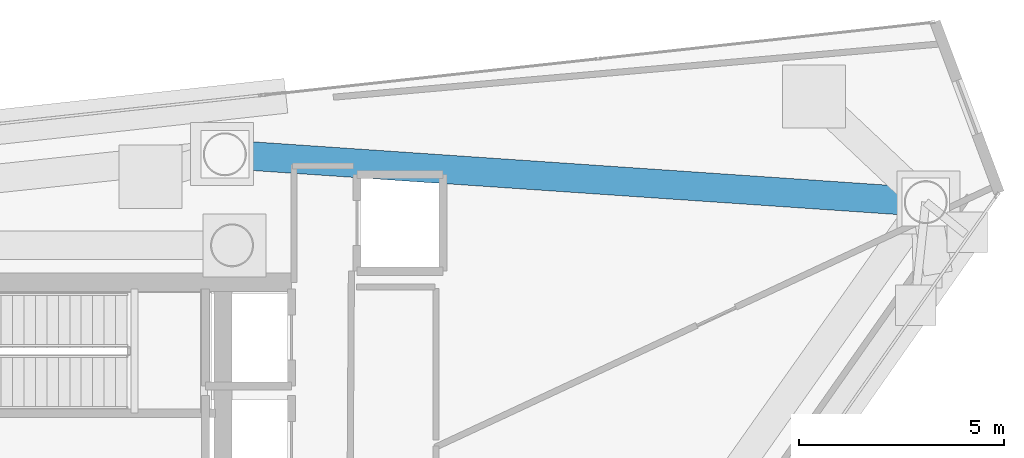
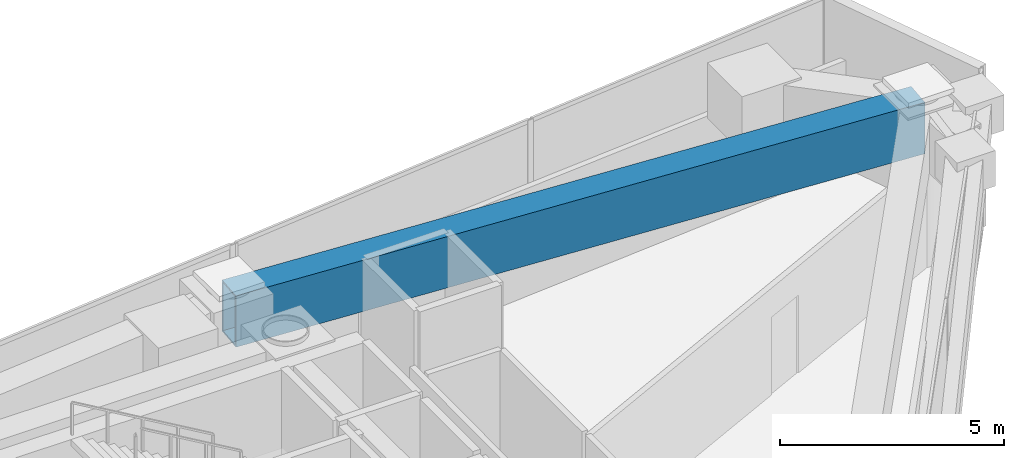
# One storey, part 13 of 21: 1 beam.
"""IFC4 building model written with IfcOpenShell, lengths in metres."""

from ifc_helpers import new_model, si_unit, direction, frame, origin, origin_2d, place, context, subcontext, project, spatial, hollow_rectangle, extrude, material, material_profile, profile_set, type_object, element, save


model = new_model("IFC4")

# Units and contexts
model_context = context("Model", 3, precision=1e-05, world=origin(), true_north=direction((0.0, 1.0)))
body_context = subcontext(model_context, "Body", "Model", "MODEL_VIEW")
ifc_project = project(units=[si_unit("LENGTHUNIT", "METRE"), si_unit("AREAUNIT", "SQUARE_METRE"), si_unit("VOLUMEUNIT", "CUBIC_METRE"), si_unit("PLANEANGLEUNIT", "RADIAN"), si_unit("MASSUNIT", "GRAM", prefix="KILO")], contexts=[model_context])

# Site, building, storey
site_placement = place(None, origin())
site = spatial("IfcSite", under=ifc_project, at=site_placement, CompositionType="ELEMENT")
building_placement = place(site_placement, origin())
building = spatial("IfcBuilding", under=site, at=building_placement, Name="Qianvela Tower", CompositionType="ELEMENT")
storey_placement = place(building_placement, frame((0.0, 0.0, 276.0)))
storey = spatial("IfcBuildingStorey", under=building, at=storey_placement, Name="L71", CompositionType="ELEMENT", Elevation=276.0)

# Beam
ifc_material = material(Name="Steel Q420GJC", Category="steel")
ifc_material_profile = material_profile(ifc_material, hollow_rectangle(XDim=0.699951171875, YDim=1.39990234375, WallThickness=0.0400390625, at=origin_2d()), Name="TG-BOX-1400x700x40")
ifc_profile_set = profile_set([ifc_material_profile], Name="Steel Q420GJC")
beam_type = type_object("IfcBeamType", Name="BM-TG-RAD-1400", PredefinedType="BEAM", material=ifc_profile_set)
beam_placement = place(storey_placement, frame((55.33203125, 34.60498046875, 3.718017578125), z_axis=(-0.997677407473, 0.068116008525, 0.0), x_axis=(-0.068116008525, -0.997677407473, 0.0)))
element("IfcBeam", 1, at=beam_placement, inside=storey, type_object=beam_type, Name="L71 Perimeter Belt-Truss Top Ring Girder 1", PredefinedType="BEAM", context=body_context, shape_type="SweptSolid", body=[
    extrude(hollow_rectangle(XDim=0.699951171875, YDim=1.39990234375, WallThickness=0.0400390625, at=origin_2d()), origin(), (0.0, 0.0, 1.0), 17.146728515625),
])

save(model, "model.ifc")
